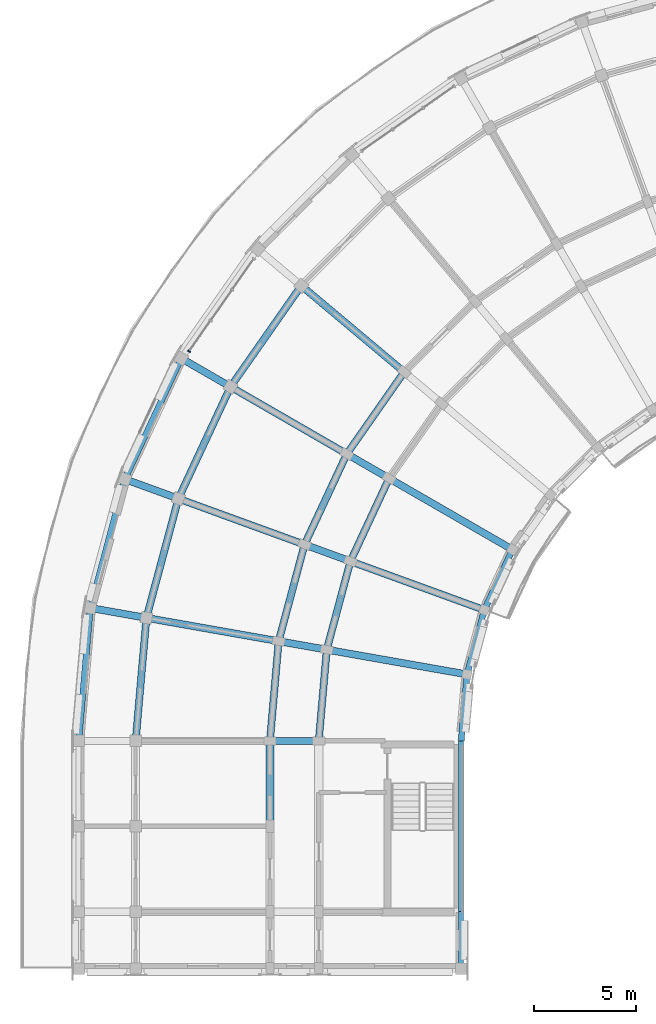
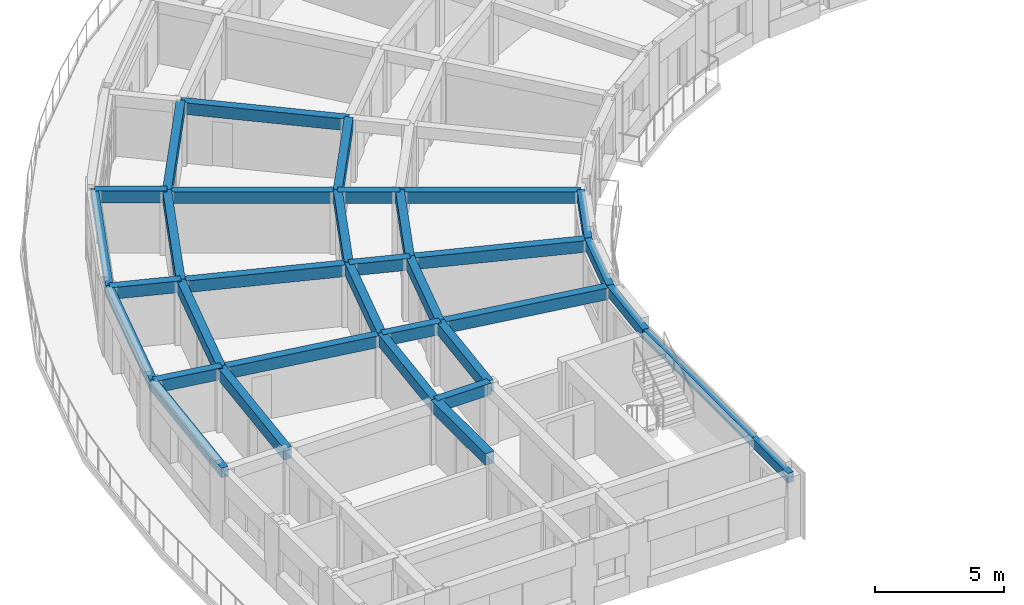
# One storey, part 2 of 16: 34 beams, 1 member, 1 element without a shape of its own.
"""IFC4 building model written with IfcOpenShell, lengths in metres."""

from ifc_helpers import new_model, si_unit, direction, frame, origin, origin_2d, place, context, subcontext, project, spatial, rectangle, extrude, material, material_profile, profile_set, type_object, element, aggregate, save


model = new_model("IFC4")

# Units and contexts
model_context = context("Model", 3, precision=1e-05, world=origin(), true_north=direction((0.0, 1.0)))
body_context = subcontext(model_context, "Body", "Model", "MODEL_VIEW")
ifc_project = project(units=[si_unit("LENGTHUNIT", "METRE"), si_unit("AREAUNIT", "SQUARE_METRE"), si_unit("VOLUMEUNIT", "CUBIC_METRE"), si_unit("PLANEANGLEUNIT", "RADIAN"), si_unit("MASSUNIT", "GRAM", prefix="KILO")], contexts=[model_context])

# Site, building, storey
site_placement = place(None, origin())
site = spatial("IfcSite", under=ifc_project, at=site_placement, CompositionType="ELEMENT")
building_placement = place(site_placement, origin())
building = spatial("IfcBuilding", under=site, at=building_placement, Name="Kiranvali Square Residences", CompositionType="ELEMENT")
storey_placement = place(building_placement, frame((0.0, 0.0, 46.5)))
storey = spatial("IfcBuildingStorey", under=building, at=storey_placement, Name="L14", CompositionType="ELEMENT", Elevation=46.5)

# Beams
ifc_material_1 = material(Name="Concrete M40 (40 MPa)", Category="concrete")
ifc_material_profile_1 = material_profile(ifc_material_1, rectangle(XDim=0.35009765625, YDim=0.550048828125, at=origin_2d()), Name="RC 350x550")
ifc_profile_set_1 = profile_set([ifc_material_profile_1], Name="Concrete M40 (40 MPa)")
beam_type_1 = type_object("IfcBeamType", Name="BM-M40-350x550", PredefinedType="BEAM", material=ifc_profile_set_1)
beam_1_placement = place(storey_placement, frame((26.59765625, 105.926513671875, 2.655029296875), z_axis=(-0.573592335331, -0.819140911474, 0.0), x_axis=(0.819140911474, -0.573592335331, 0.0)))
element("IfcBeam", 1, at=beam_1_placement, inside=storey, type_object=beam_type_1, Name="L14 beam BM-A-L14-C05-R2", PredefinedType="BEAM", context=body_context, shape_type="SweptSolid", body=[
    extrude(rectangle(XDim=0.35009765625, YDim=0.550048828125, at=origin_2d()), origin(), (0.0, 0.0, 1.0), 4.915771484375),
])
beam_2_placement = place(storey_placement, frame((21.541748046875, 110.1689453125, 2.655029296875), z_axis=(-0.573594691504, -0.81913926159, 0.0), x_axis=(0.81913926159, -0.573594691504, 0.0)))
element("IfcBeam", 2, at=beam_2_placement, inside=storey, type_object=beam_type_1, Name="L14 beam BM-A-L14-C05-R3", PredefinedType="BEAM", context=body_context, shape_type="SweptSolid", body=[
    extrude(rectangle(XDim=0.35009765625, YDim=0.550048828125, at=origin_2d()), origin(), (0.0, 0.0, 1.0), 6.066162109375),
])
beam_3_placement = place(storey_placement, frame((25.8564453125, 100.699951171875, 2.655029296875), z_axis=(-0.422617978463, -0.906307919131, 0.0), x_axis=(0.906307919131, -0.422617978463, 0.0)))
element("IfcBeam", 3, at=beam_3_placement, inside=storey, type_object=beam_type_1, Name="L14 beam BM-A-L14-C06-R1", PredefinedType="BEAM", context=body_context, shape_type="SweptSolid", body=[
    extrude(rectangle(XDim=0.35009765625, YDim=0.550048828125, at=origin_2d()), origin(), (0.0, 0.0, 1.0), 4.497314453125),
])
beam_4_placement = place(storey_placement, frame((23.778076171875, 101.89990234375, 2.655029296875), z_axis=(-0.422629854778, -0.906302381024, 0.0), x_axis=(0.906302381024, -0.422629854778, 0.0)))
element("IfcBeam", 4, at=beam_4_placement, inside=storey, type_object=beam_type_1, Name="L14 beam BM-A-L14-C06-R2", PredefinedType="BEAM", context=body_context, shape_type="SweptSolid", body=[
    extrude(rectangle(XDim=0.35009765625, YDim=0.550048828125, at=origin_2d()), origin(), (0.0, 0.0, 1.0), 4.915283203125),
])
beam_5_placement = place(storey_placement, frame((18.062255859375, 105.199951171875, 2.655029296875), z_axis=(-0.42260781991, -0.906312656069, 0.0), x_axis=(0.906312656069, -0.42260781991, 0.0)))
element("IfcBeam", 5, at=beam_5_placement, inside=storey, type_object=beam_type_1, Name="L14 beam BM-A-L14-C06-R3", PredefinedType="BEAM", context=body_context, shape_type="SweptSolid", body=[
    extrude(rectangle(XDim=0.35009765625, YDim=0.550048828125, at=origin_2d()), origin(), (0.0, 0.0, 1.0), 6.06591796875),
])
beam_6_placement = place(storey_placement, frame((23.955810546875, 96.6240234375, 2.655029296875), z_axis=(-0.258787642463, -0.965934240054, 0.0), x_axis=(0.965934240054, -0.258787642463, 0.0)))
element("IfcBeam", 6, at=beam_6_placement, inside=storey, type_object=beam_type_1, Name="L14 beam BM-A-L14-C07-R1", PredefinedType="BEAM", context=body_context, shape_type="SweptSolid", body=[
    extrude(rectangle(XDim=0.35009765625, YDim=0.550048828125, at=origin_2d()), origin(), (0.0, 0.0, 1.0), 4.497314453125),
])
beam_7_placement = place(storey_placement, frame((21.70068359375, 97.445068359375, 2.655029296875), z_axis=(-0.258803112091, -0.965930095386, 0.0), x_axis=(0.965930095386, -0.258803112091, 0.0)))
element("IfcBeam", 7, at=beam_7_placement, inside=storey, type_object=beam_type_1, Name="L14 beam BM-A-L14-C07-R2", PredefinedType="BEAM", context=body_context, shape_type="SweptSolid", body=[
    extrude(rectangle(XDim=0.35009765625, YDim=0.550048828125, at=origin_2d()), origin(), (0.0, 0.0, 1.0), 4.915771484375),
])
beam_8_placement = place(storey_placement, frame((15.498779296875, 99.702392578125, 2.655029296875), z_axis=(-0.258827283048, -0.965923618901, 0.0), x_axis=(0.965923618901, -0.258827283048, 0.0)))
element("IfcBeam", 8, at=beam_8_placement, inside=storey, type_object=beam_type_1, Name="L14 beam BM-A-L14-C07-R3", PredefinedType="BEAM", context=body_context, shape_type="SweptSolid", body=[
    extrude(rectangle(XDim=0.35009765625, YDim=0.550048828125, at=origin_2d()), origin(), (0.0, 0.0, 1.0), 6.066162109375),
])
beam_9_placement = place(storey_placement, frame((22.7919921875, 92.280029296875, 2.655029296875), z_axis=(-0.087187153726, -0.996191949488, 0.0), x_axis=(0.996191949488, -0.087187153726, 0.0)))
element("IfcBeam", 9, at=beam_9_placement, inside=storey, type_object=beam_type_1, Name="L14 beam BM-A-L14-C08-R1", PredefinedType="BEAM", context=body_context, shape_type="SweptSolid", body=[
    extrude(rectangle(XDim=0.35009765625, YDim=0.550048828125, at=origin_2d()), origin(), (0.0, 0.0, 1.0), 4.4970703125),
])
beam_10_placement = place(storey_placement, frame((20.428466796875, 92.69677734375, 2.655029296875), z_axis=(-0.087167566415, -0.996193663584, 0.0), x_axis=(0.996193663584, -0.087167566415, 0.0)))
element("IfcBeam", 10, at=beam_10_placement, inside=storey, type_object=beam_type_1, Name="L14 beam BM-A-L14-C08-R2", PredefinedType="BEAM", context=body_context, shape_type="SweptSolid", body=[
    extrude(rectangle(XDim=0.35009765625, YDim=0.550048828125, at=origin_2d()), origin(), (0.0, 0.0, 1.0), 4.91552734375),
])
beam_11_placement = place(storey_placement, frame((13.9287109375, 93.843017578125, 2.655029296875), z_axis=(-0.087174938512, -0.996193018494, 0.0), x_axis=(0.996193018494, -0.087174938512, 0.0)))
element("IfcBeam", 11, at=beam_11_placement, inside=storey, type_object=beam_type_1, Name="L14 beam BM-A-L14-C08-R3", PredefinedType="BEAM", context=body_context, shape_type="SweptSolid", body=[
    extrude(rectangle(XDim=0.35009765625, YDim=0.550048828125, at=origin_2d()), origin(), (0.0, 0.0, 1.0), 6.066162109375),
])
beam_12_placement = place(storey_placement, frame((26.59765625, 105.926513671875, 2.655029296875), z_axis=(-0.766042881449, 0.642789470807, 0.0), x_axis=(-0.642789470807, -0.766042881449, 0.0)))
element("IfcBeam", 12, at=beam_12_placement, inside=storey, type_object=beam_type_1, Name="L14 beam BM-A-L14-RAD05-23", PredefinedType="BEAM", context=body_context, shape_type="SweptSolid", body=[
    extrude(rectangle(XDim=0.35009765625, YDim=0.550048828125, at=origin_2d()), origin(), (0.0, 0.0, 1.0), 6.60009765625),
])
beam_13_placement = place(storey_placement, frame((31.918701171875, 97.199951171875, 2.655029296875), z_axis=(-0.866028190633, 0.499995173006, 0.0), x_axis=(-0.499995173006, -0.866028190633, 0.0)))
element("IfcBeam", 13, at=beam_13_placement, inside=storey, type_object=beam_type_1, Name="L14 beam BM-A-L14-RAD06-01", PredefinedType="BEAM", context=body_context, shape_type="SweptSolid", body=[
    extrude(rectangle(XDim=0.35009765625, YDim=0.550048828125, at=origin_2d()), origin(), (0.0, 0.0, 1.0), 7.0),
])
beam_14_placement = place(storey_placement, frame((25.8564453125, 100.699951171875, 2.655029296875), z_axis=(-0.866024647952, 0.500001309137, 0.0), x_axis=(-0.500001309137, -0.866024647952, 0.0)))
element("IfcBeam", 14, at=beam_14_placement, inside=storey, type_object=beam_type_1, Name="L14 beam BM-A-L14-RAD06-12", PredefinedType="BEAM", context=body_context, shape_type="SweptSolid", body=[
    extrude(rectangle(XDim=0.35009765625, YDim=0.550048828125, at=origin_2d()), origin(), (0.0, 0.0, 1.0), 2.39990234375),
])
beam_15_placement = place(storey_placement, frame((23.778076171875, 101.89990234375, 2.655029296875), z_axis=(-0.866024194504, 0.500002094529, 0.0), x_axis=(-0.500002094529, -0.866024194504, 0.0)))
element("IfcBeam", 15, at=beam_15_placement, inside=storey, type_object=beam_type_1, Name="L14 beam BM-A-L14-RAD06-23", PredefinedType="BEAM", context=body_context, shape_type="SweptSolid", body=[
    extrude(rectangle(XDim=0.35009765625, YDim=0.550048828125, at=origin_2d()), origin(), (0.0, 0.0, 1.0), 6.60009765625),
])
beam_16_placement = place(storey_placement, frame((18.062255859375, 105.199951171875, 2.695068359375), z_axis=(-0.865996816683, 0.500049511043, 0.0), x_axis=(-0.500049511043, -0.865996816683, 0.0)))
element("IfcBeam", 16, at=beam_16_placement, inside=storey, type_object=beam_type_1, Name="L14 beam BM-A-L14-RAD06-34", PredefinedType="BEAM", context=body_context, shape_type="SweptSolid", body=[
    extrude(rectangle(XDim=0.35009765625, YDim=0.550048828125, at=origin_2d()), origin(), (0.0, 0.0, 1.0), 2.800048828125),
])
beam_17_placement = place(storey_placement, frame((30.53369140625, 94.22998046875, 2.655029296875), z_axis=(-0.939697665127, 0.342006283793, 0.0), x_axis=(-0.342006283793, -0.939697665127, 0.0)))
element("IfcBeam", 17, at=beam_17_placement, inside=storey, type_object=beam_type_1, Name="L14 beam BM-A-L14-RAD07-01", PredefinedType="BEAM", context=body_context, shape_type="SweptSolid", body=[
    extrude(rectangle(XDim=0.35009765625, YDim=0.550048828125, at=origin_2d()), origin(), (0.0, 0.0, 1.0), 7.0),
])
beam_18_placement = place(storey_placement, frame((23.955810546875, 96.6240234375, 2.655029296875), z_axis=(-0.939659694648, 0.342110593602, 0.0), x_axis=(-0.342110593602, -0.939659694648, 0.0)))
element("IfcBeam", 18, at=beam_18_placement, inside=storey, type_object=beam_type_1, Name="L14 beam BM-A-L14-RAD07-12", PredefinedType="BEAM", context=body_context, shape_type="SweptSolid", body=[
    extrude(rectangle(XDim=0.35009765625, YDim=0.550048828125, at=origin_2d()), origin(), (0.0, 0.0, 1.0), 2.39990234375),
])
beam_19_placement = place(storey_placement, frame((21.70068359375, 97.445068359375, 2.655029296875), z_axis=(-0.939691858249, 0.342022238372, 0.0), x_axis=(-0.342022238372, -0.939691858249, 0.0)))
element("IfcBeam", 19, at=beam_19_placement, inside=storey, type_object=beam_type_1, Name="L14 beam BM-A-L14-RAD07-23", PredefinedType="BEAM", context=body_context, shape_type="SweptSolid", body=[
    extrude(rectangle(XDim=0.35009765625, YDim=0.550048828125, at=origin_2d()), origin(), (0.0, 0.0, 1.0), 6.599853515625),
])
beam_20_placement = place(storey_placement, frame((15.498779296875, 99.702392578125, 2.695068359375), z_axis=(-0.93970683422, 0.341981089711, 0.0), x_axis=(-0.341981089711, -0.93970683422, 0.0)))
element("IfcBeam", 20, at=beam_20_placement, inside=storey, type_object=beam_type_1, Name="L14 beam BM-A-L14-RAD07-34", PredefinedType="BEAM", context=body_context, shape_type="SweptSolid", body=[
    extrude(rectangle(XDim=0.35009765625, YDim=0.550048828125, at=origin_2d()), origin(), (0.0, 0.0, 1.0), 2.7998046875),
])
beam_21_placement = place(storey_placement, frame((29.685546875, 91.064697265625, 2.655029296875), z_axis=(-0.984812337125, 0.173622177865, 0.0), x_axis=(-0.173622177865, -0.984812337125, 0.0)))
element("IfcBeam", 21, at=beam_21_placement, inside=storey, type_object=beam_type_1, Name="L14 beam BM-A-L14-RAD08-01", PredefinedType="BEAM", context=body_context, shape_type="SweptSolid", body=[
    extrude(rectangle(XDim=0.35009765625, YDim=0.550048828125, at=origin_2d()), origin(), (0.0, 0.0, 1.0), 6.999755859375),
])
beam_22_placement = place(storey_placement, frame((22.7919921875, 92.280029296875, 2.655029296875), z_axis=(-0.984808127031, 0.173646056486, 0.0), x_axis=(-0.173646056486, -0.984808127031, 0.0)))
element("IfcBeam", 22, at=beam_22_placement, inside=storey, type_object=beam_type_1, Name="L14 beam BM-A-L14-RAD08-12", PredefinedType="BEAM", context=body_context, shape_type="SweptSolid", body=[
    extrude(rectangle(XDim=0.35009765625, YDim=0.550048828125, at=origin_2d()), origin(), (0.0, 0.0, 1.0), 2.39990234375),
])
beam_23_placement = place(storey_placement, frame((20.428466796875, 92.69677734375, 2.655029296875), z_axis=(-0.984803661269, 0.173671381499, 0.0), x_axis=(-0.173671381499, -0.984803661269, 0.0)))
element("IfcBeam", 23, at=beam_23_placement, inside=storey, type_object=beam_type_1, Name="L14 beam BM-A-L14-RAD08-23", PredefinedType="BEAM", context=body_context, shape_type="SweptSolid", body=[
    extrude(rectangle(XDim=0.35009765625, YDim=0.550048828125, at=origin_2d()), origin(), (0.0, 0.0, 1.0), 6.60009765625),
])
beam_24_placement = place(storey_placement, frame((13.9287109375, 93.843017578125, 2.695068359375), z_axis=(-0.984816895441, 0.173596320392, 0.0), x_axis=(-0.173596320392, -0.984816895441, 0.0)))
element("IfcBeam", 24, at=beam_24_placement, inside=storey, type_object=beam_type_1, Name="L14 beam BM-A-L14-RAD08-34", PredefinedType="BEAM", context=body_context, shape_type="SweptSolid", body=[
    extrude(rectangle(XDim=0.35009765625, YDim=0.550048828125, at=origin_2d()), origin(), (0.0, 0.0, 1.0), 2.800048828125),
])
beam_25_placement = place(storey_placement, frame((22.39990234375, 87.800048828125, 2.655029296875), z_axis=(-1.0, 0.0, 0.0), x_axis=(0.0, -1.0, 0.0)))
element("IfcBeam", 25, at=beam_25_placement, inside=storey, type_object=beam_type_1, Name="L14 beam BM-A-L14-A2T0-12", PredefinedType="BEAM", context=body_context, shape_type="SweptSolid", body=[
    extrude(rectangle(XDim=0.35009765625, YDim=0.550048828125, at=origin_2d()), origin(), (0.0, 0.0, 1.0), 2.39990234375),
])
ifc_material_2 = material(Name="Concrete M45 (45 MPa)", Category="concrete")
ifc_material_profile_2 = material_profile(ifc_material_2, rectangle(XDim=0.39990234375, YDim=0.550048828125, at=origin_2d()), Name="RC 400x550")
ifc_profile_set_2 = profile_set([ifc_material_profile_2], Name="Concrete M45 (45 MPa)")
beam_type_2 = type_object("IfcBeamType", Name="BM-M45-400x550", PredefinedType="BEAM", material=ifc_profile_set_2)
beam_26_placement = place(storey_placement, frame((20.0, 87.800048828125, 2.655029296875), z_axis=(0.0, -1.0, 0.0), x_axis=(1.0, 0.0, 0.0)))
element("IfcBeam", 26, at=beam_26_placement, inside=storey, type_object=beam_type_2, Name="L14 beam BM-A-L14-A2V0-R2", PredefinedType="BEAM", context=body_context, shape_type="SweptSolid", body=[
    extrude(rectangle(XDim=0.39990234375, YDim=0.550048828125, at=origin_2d()), origin(), (0.0, 0.0, 1.0), 4.199951171875),
])

# Curtain wall, member
ifc_material_3 = material(Name="Anodised bronze aluminium framing", Category="aluminium")
curtain_wall_type = type_object("IfcCurtainWallType", Name="CW-RES-LOG", PredefinedType="USERDEFINED", material=ifc_material_3)
curtain_wall_placement = place(storey_placement, origin())
curtain_wall = element("IfcCurtainWall", 27, at=curtain_wall_placement, inside=storey, type_object=curtain_wall_type, Name="Block A L14 stepped curved terrace loggia 6", ObjectType="CURTAIN WALL", PredefinedType="USERDEFINED")
ifc_material_profile_3 = material_profile(ifc_material_3, rectangle(XDim=0.06494140625, YDim=0.159912109375, at=origin_2d()), Name="ALU 65x160")
ifc_profile_set_3 = profile_set([ifc_material_profile_3], Name="Anodised bronze aluminium framing")
member_type = type_object("IfcMemberType", Name="CW-MUL-160", PredefinedType="MULLION", material=ifc_profile_set_3)
member_placement = place(storey_placement, frame((16.0224609375, 106.940673828125, 0.02001953125), z_axis=(0.0, 0.0, 1.0), x_axis=(-0.573576436351, -0.819152044289, 0.0)))
member = element("IfcMember", 28, at=member_placement, type_object=member_type, Name="CW-A-L14-TER-05 vertical mullion 4", PredefinedType="MULLION", context=body_context, shape_type="SweptSolid", body=[
    extrude(rectangle(XDim=0.06494140625, YDim=0.159912109375, at=origin_2d()), origin(), (0.0, 0.0, 1.0), 2.43994140625),
])
aggregate(curtain_wall, [member])

# Beams
ifc_material_profile_4 = material_profile(ifc_material_1, rectangle(XDim=0.25, YDim=0.449951171875, at=origin_2d()), Name="RC 250x450")
ifc_profile_set_4 = profile_set([ifc_material_profile_4], Name="Concrete M40 (40 MPa)")
beam_type_3 = type_object("IfcBeamType", Name="SPN-M40-250x450", PredefinedType="SPANDREL", material=ifc_profile_set_4)
beam_27_placement = place(storey_placement, frame((29.39990234375, 87.800048828125, 2.705078125), z_axis=(0.0, -1.0, 0.0), x_axis=(1.0, 0.0, 0.0)))
element("IfcBeam", 29, at=beam_27_placement, inside=storey, type_object=beam_type_3, Name="L14 beam BM-A-L14-A2V0-R0", PredefinedType="SPANDREL", context=body_context, shape_type="SweptSolid", body=[
    extrude(rectangle(XDim=0.25, YDim=0.449951171875, at=origin_2d()), origin(), (0.0, 0.0, 1.0), 8.400146484375),
])
beam_28_placement = place(storey_placement, frame((29.39990234375, 79.39990234375, 2.705078125), z_axis=(0.0, -1.0, 0.0), x_axis=(1.0, 0.0, 0.0)))
element("IfcBeam", 30, at=beam_28_placement, inside=storey, type_object=beam_type_3, Name="L14 beam BM-A-L14-A2V1-R0", PredefinedType="SPANDREL", context=body_context, shape_type="SweptSolid", body=[
    extrude(rectangle(XDim=0.25, YDim=0.449951171875, at=origin_2d()), origin(), (0.0, 0.0, 1.0), 2.7998046875),
])
ifc_material_profile_5 = material_profile(ifc_material_1, rectangle(XDim=0.300048828125, YDim=0.449951171875, at=origin_2d()), Name="RC 300x450")
ifc_profile_set_5 = profile_set([ifc_material_profile_5], Name="Concrete M40 (40 MPa)")
beam_type_4 = type_object("IfcBeamType", Name="SPN-M40-300x450", PredefinedType="SPANDREL", material=ifc_profile_set_5)
beam_29_placement = place(storey_placement, frame((31.918701171875, 97.199951171875, 2.705078125), z_axis=(-0.422640740585, -0.90629730464, 0.0), x_axis=(0.90629730464, -0.422640740585, 0.0)))
element("IfcBeam", 31, at=beam_29_placement, inside=storey, type_object=beam_type_4, Name="L14 beam BM-A-L14-C06-R0", PredefinedType="SPANDREL", context=body_context, shape_type="SweptSolid", body=[
    extrude(rectangle(XDim=0.300048828125, YDim=0.449951171875, at=origin_2d()), origin(), (0.0, 0.0, 1.0), 3.277099609375),
])
beam_30_placement = place(storey_placement, frame((15.637451171875, 106.60009765625, 2.7451171875), z_axis=(-0.422595876255, -0.906318225223, 0.0), x_axis=(0.906318225223, -0.422595876255, 0.0)))
element("IfcBeam", 32, at=beam_30_placement, inside=storey, type_object=beam_type_4, Name="L14 beam BM-A-L14-C06-R4", PredefinedType="SPANDREL", context=body_context, shape_type="SweptSolid", body=[
    extrude(rectangle(XDim=0.300048828125, YDim=0.449951171875, at=origin_2d()), origin(), (0.0, 0.0, 1.0), 6.55419921875),
])
beam_31_placement = place(storey_placement, frame((30.53369140625, 94.22998046875, 2.705078125), z_axis=(-0.258821736607, -0.965925105099, 0.0), x_axis=(0.965925105099, -0.258821736607, 0.0)))
element("IfcBeam", 33, at=beam_31_placement, inside=storey, type_object=beam_type_4, Name="L14 beam BM-A-L14-C07-R0", PredefinedType="SPANDREL", context=body_context, shape_type="SweptSolid", body=[
    extrude(rectangle(XDim=0.300048828125, YDim=0.449951171875, at=origin_2d()), origin(), (0.0, 0.0, 1.0), 3.27685546875),
])
beam_32_placement = place(storey_placement, frame((12.86767578125, 100.659912109375, 2.7451171875), z_axis=(-0.258847178297, -0.965918287583, 0.0), x_axis=(0.965918287583, -0.258847178297, 0.0)))
element("IfcBeam", 34, at=beam_32_placement, inside=storey, type_object=beam_type_4, Name="L14 beam BM-A-L14-C07-R4", PredefinedType="SPANDREL", context=body_context, shape_type="SweptSolid", body=[
    extrude(rectangle(XDim=0.300048828125, YDim=0.449951171875, at=origin_2d()), origin(), (0.0, 0.0, 1.0), 6.55419921875),
])
beam_33_placement = place(storey_placement, frame((29.685546875, 91.064697265625, 2.705078125), z_axis=(-0.087163253657, -0.996194040944, 0.0), x_axis=(0.996194040944, -0.087163253657, 0.0)))
element("IfcBeam", 35, at=beam_33_placement, inside=storey, type_object=beam_type_4, Name="L14 beam BM-A-L14-C08-R0", PredefinedType="SPANDREL", context=body_context, shape_type="SweptSolid", body=[
    extrude(rectangle(XDim=0.300048828125, YDim=0.449951171875, at=origin_2d()), origin(), (0.0, 0.0, 1.0), 3.277099609375),
])
beam_34_placement = place(storey_placement, frame((11.171142578125, 94.3291015625, 2.7451171875), z_axis=(-0.0871295204, -0.996196991902, 0.0), x_axis=(0.996196991902, -0.0871295204, 0.0)))
element("IfcBeam", 36, at=beam_34_placement, inside=storey, type_object=beam_type_4, Name="L14 beam BM-A-L14-C08-R4", PredefinedType="SPANDREL", context=body_context, shape_type="SweptSolid", body=[
    extrude(rectangle(XDim=0.300048828125, YDim=0.449951171875, at=origin_2d()), origin(), (0.0, 0.0, 1.0), 6.553955078125),
])

save(model, "model.ifc")
